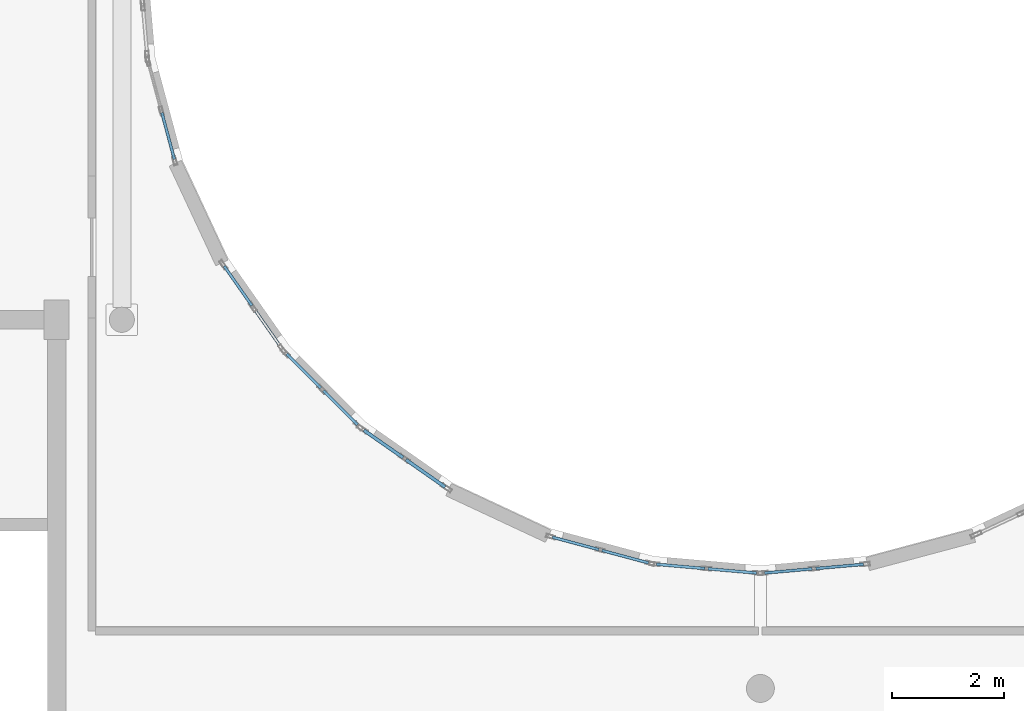
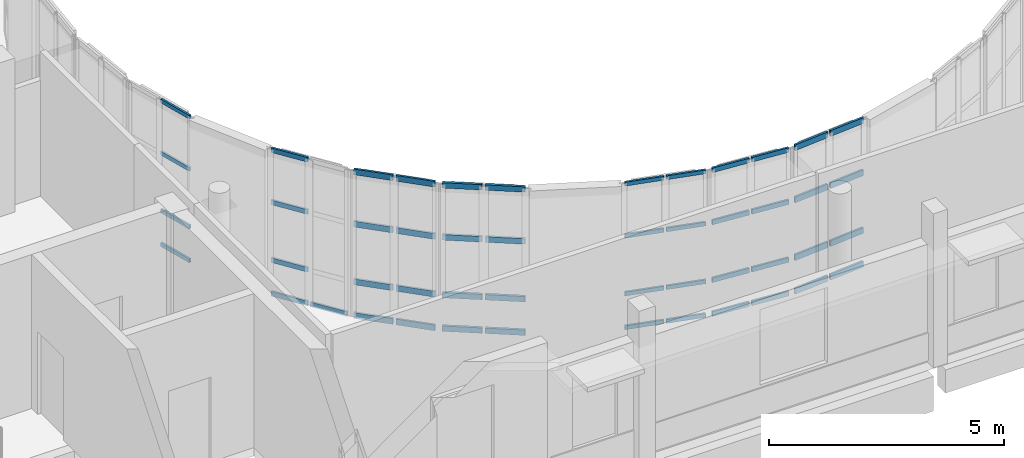
# One storey, part 46 of 89: 49 members, 7 elements without a shape of their own.
"""IFC4 building model written with IfcOpenShell, lengths in metres."""

import ifcopenshell
import ifcopenshell.guid

model = None  # the IFC model being written
_history = None  # IfcOwnerHistory: only IFC2X3 demands one
_inside = {}  # id of a spatial element -> (the spatial element, [elements in it])
_under = {}  # id of a project, library or spatial element -> (it, [spatial elements below it])
_declared = {}  # id of a project -> (the project, [libraries it declares])
_typed = {}  # id of a type object -> (the type object, [elements of that type])
_made_of = {}  # id of a material, layer set ... -> (it, [elements and type objects made of it])


def new_model(schema):
    """Start an empty IFC model of exactly this schema.

    Asked for "IFC4X3", IfcOpenShell would pick the latest addendum, in which some entities
    have other attributes; the version numbers below select the first issue.
    IFC2X3 requires an IfcOwnerHistory on every rooted entity: one is made here for all.
    """
    global model, _history
    if schema == "IFC4X3":
        model = ifcopenshell.file(schema_version=(4, 3, 0, 0))
    else:
        model = ifcopenshell.file(schema=schema)
    _inside.clear()
    _under.clear()
    _declared.clear()
    _typed.clear()
    _made_of.clear()
    _history = None
    if model.schema == "IFC2X3":
        org = make("IfcOrganization", Name="unknown")
        user = make(
            "IfcPersonAndOrganization",
            ThePerson=make("IfcPerson", FamilyName="unknown"),
            TheOrganization=org,
        )
        app = make(
            "IfcApplication",
            ApplicationDeveloper=org,
            Version="unknown",
            ApplicationFullName="unknown",
            ApplicationIdentifier="unknown",
        )
        _history = make(
            "IfcOwnerHistory",
            OwningUser=user,
            OwningApplication=app,
            ChangeAction="ADDED",
            CreationDate=0,
        )
    return model


def make(cls, **values):
    """One entity of the class cls with the attributes given. An attribute that is None is left unset."""
    return model.create_entity(
        cls, **{name: value for name, value in values.items() if value is not None}
    )


def rooted(cls, **values):
    """An entity with a GlobalId (a new one), such as an element, a storey or a relation."""
    return make(cls, GlobalId=ifcopenshell.guid.new(), OwnerHistory=_history, **values)


def si_unit(unit_type, name, prefix=None):
    """IfcSIUnit, for example si_unit("LENGTHUNIT", "METRE", prefix="MILLI")."""
    return make("IfcSIUnit", UnitType=unit_type, Prefix=prefix, Name=name)


def assignment(units):
    """IfcUnitAssignment: the units of a project."""
    return None if units is None else make("IfcUnitAssignment", Units=units)


def point(xyz):
    """IfcCartesianPoint."""
    return None if xyz is None else make("IfcCartesianPoint", Coordinates=xyz)


def direction(xyz):
    """IfcDirection."""
    return None if xyz is None else make("IfcDirection", DirectionRatios=xyz)


def frame(location, z_axis=None, x_axis=None):
    """IfcAxis2Placement3D, a coordinate frame: its origin and axes. An axis left out is left unset."""
    return make(
        "IfcAxis2Placement3D",
        Location=point(location),
        Axis=direction(z_axis),
        RefDirection=direction(x_axis),
    )


def frame_2d(location, x_axis=None):
    """IfcAxis2Placement2D, a coordinate frame in the plane: its origin and x axis."""
    return make(
        "IfcAxis2Placement2D", Location=point(location), RefDirection=direction(x_axis)
    )


def origin():
    """The frame at (0, 0, 0) with its axes left unset."""
    return frame((0.0, 0.0, 0.0))


def origin_2d():
    """The frame at (0, 0) in the plane with its x axis left unset."""
    return frame_2d((0.0, 0.0))


def place(relative_to, where):
    """IfcLocalPlacement: puts the frame where relative to a parent placement (None: the world)."""
    return make(
        "IfcLocalPlacement", PlacementRelTo=relative_to, RelativePlacement=where
    )


def context(
    kind, dimensions, precision=None, world=None, true_north=None, identifier=None
):
    """IfcGeometricRepresentationContext, for example the 3D "Model" context."""
    return make(
        "IfcGeometricRepresentationContext",
        ContextIdentifier=identifier,
        ContextType=kind,
        CoordinateSpaceDimension=dimensions,
        Precision=precision,
        WorldCoordinateSystem=world,
        TrueNorth=true_north,
    )


def subcontext(parent, identifier, kind, view, scale=None):
    """IfcGeometricRepresentationSubContext, for example "Body" below "Model"."""
    return make(
        "IfcGeometricRepresentationSubContext",
        ContextIdentifier=identifier,
        ContextType=kind,
        ParentContext=parent,
        TargetScale=scale,
        TargetView=view,
    )


def project(units=None, contexts=None):
    """IfcProject with its units and contexts."""
    return rooted(
        "IfcProject",
        Name="project",
        RepresentationContexts=contexts,
        UnitsInContext=assignment(units),
    )


def spatial(cls, under=None, at=None, **own):
    """A site, building, storey or space (cls), placed at a placement, below another one or the project."""
    s = rooted(cls, ObjectPlacement=at, **own)
    if under is not None:
        _under.setdefault(under.id(), (under, []))[1].append(s)
    return s


def profile(cls, at=None, kind="AREA", **sizes):
    """A parametric profile (cls). Its sizes go by their IFC names, for example OverallWidth=200.0."""
    return make(cls, ProfileType=kind, Position=at, **sizes)


def hollow_rectangle(**sizes):
    """IfcRectangleHollowProfileDef."""
    return profile("IfcRectangleHollowProfileDef", **sizes)


def extrude(swept, where, along, depth):
    """IfcExtrudedAreaSolid: the profile swept, set in the frame where, extruded along a direction by depth."""
    return make(
        "IfcExtrudedAreaSolid",
        SweptArea=swept,
        Position=where,
        ExtrudedDirection=direction(along),
        Depth=depth,
    )


def shape(context_of_items, identifier, shape_type, items):
    """IfcShapeRepresentation: the items that make up one representation, for example the "Body"."""
    return make(
        "IfcShapeRepresentation",
        ContextOfItems=context_of_items,
        RepresentationIdentifier=identifier,
        RepresentationType=shape_type,
        Items=items,
    )


def material(Name=None, Category=None):
    """IfcMaterial."""
    return make("IfcMaterial", Name=Name, Category=Category)


def layer(
    of_material, thickness, ventilated=None, Name=None, Category=None, Priority=None
):
    """IfcMaterialLayer: one layer of a wall or slab, of a material (None: an air gap)."""
    return make(
        "IfcMaterialLayer",
        Material=of_material,
        LayerThickness=thickness,
        IsVentilated=ventilated,
        Name=Name,
        Category=Category,
        Priority=Priority,
    )


def layer_set(layers, Name=None):
    """IfcMaterialLayerSet."""
    return make("IfcMaterialLayerSet", MaterialLayers=layers, LayerSetName=Name)


def material_profile(
    of_material, cross_section, Name=None, Category=None, Priority=None
):
    """IfcMaterialProfile: a cross section and its material."""
    return make(
        "IfcMaterialProfile",
        Name=Name,
        Material=of_material,
        Profile=cross_section,
        Priority=Priority,
        Category=Category,
    )


def profile_set(profiles, Name=None, composite=None):
    """IfcMaterialProfileSet."""
    return make(
        "IfcMaterialProfileSet",
        Name=Name,
        MaterialProfiles=profiles,
        CompositeProfile=composite,
    )


def made_of(thing, what):
    """Note that an element or type object is made of a material, layer set ...; save() writes the relation."""
    if what is not None:
        _made_of.setdefault(what.id(), (what, []))[1].append(thing)
    return thing


def type_object(cls, material=None, **own):
    """A type object (cls), such as IfcWallType, which elements share."""
    return made_of(rooted(cls, **own), material)


def element(
    cls,
    number,
    at=None,
    inside=None,
    cuts=None,
    type_object=None,
    material=None,
    context=None,
    identifier="Body",
    shape_type=None,
    held_by="IfcProductDefinitionShape",
    body=None,
    shapes=None,
    **own,
):
    """One element of the class cls, such as IfcWall. Its Tag is "e" and its number.

    at: its placement. inside: the storey or other place that contains it. cuts: it is an
    opening in that element (IfcRelVoidsElement). A single representation is given by context,
    identifier, shape_type and body (its items); several are given by shapes. held_by: the class
    of the entity that holds the representations. save() writes the other relations.
    """
    e = rooted(cls, Tag="e%d" % number, ObjectPlacement=at, **own)
    if body is not None:
        shapes = [shape(context, identifier, shape_type, body)]
    if shapes is not None:
        e.Representation = make(held_by, Representations=shapes)
    if inside is not None:
        _inside.setdefault(inside.id(), (inside, []))[1].append(e)
    if cuts is not None:
        rooted(
            "IfcRelVoidsElement", RelatingBuildingElement=cuts, RelatedOpeningElement=e
        )
    if type_object is not None:
        _typed.setdefault(type_object.id(), (type_object, []))[1].append(e)
    return made_of(e, material)


def aggregate(whole, parts):
    """IfcRelAggregates: a whole, such as a stair, and the parts it consists of."""
    return rooted("IfcRelAggregates", RelatingObject=whole, RelatedObjects=parts)


def save(model, path):
    """Write the relations noted so far, then the file.

    IfcRelAggregates (storeys below a building ...), IfcRelContainedInSpatialStructure (elements
    in a storey), IfcRelDefinesByType, IfcRelAssociatesMaterial and IfcRelDeclares: one each for
    every whole, place, type object, material and project.
    """
    for whole, parts in _under.values():
        aggregate(whole, parts)
    for where, things in _inside.values():
        rooted(
            "IfcRelContainedInSpatialStructure",
            RelatedElements=things,
            RelatingStructure=where,
        )
    for kind, things in _typed.values():
        rooted("IfcRelDefinesByType", RelatedObjects=things, RelatingType=kind)
    for what, things in _made_of.values():
        rooted("IfcRelAssociatesMaterial", RelatedObjects=things, RelatingMaterial=what)
    for by, libraries in _declared.values():
        rooted("IfcRelDeclares", RelatingContext=by, RelatedDefinitions=libraries)
    model.write(path)


model = new_model("IFC4")

# Units and contexts
model_context = context("Model", 3, precision=1e-05, world=origin(), true_north=direction((0.0, 1.0)))
body_context = subcontext(model_context, "Body", "Model", "MODEL_VIEW")
ifc_project = project(units=[si_unit("LENGTHUNIT", "METRE"), si_unit("AREAUNIT", "SQUARE_METRE"), si_unit("VOLUMEUNIT", "CUBIC_METRE"), si_unit("PLANEANGLEUNIT", "RADIAN"), si_unit("MASSUNIT", "GRAM", prefix="KILO")], contexts=[model_context])

# Site, building, storey
site_placement = place(None, origin())
site = spatial("IfcSite", under=ifc_project, at=site_placement, CompositionType="ELEMENT")
building_placement = place(site_placement, origin())
building = spatial("IfcBuilding", under=site, at=building_placement, Name="Kelanivale Promenade Academy", CompositionType="ELEMENT")
storey_placement = place(building_placement, frame((0.0, 0.0, 12.199951171875)))
storey = spatial("IfcBuildingStorey", under=building, at=storey_placement, Name="L03", CompositionType="ELEMENT", Elevation=12.199951171875)

# Curtain wall, members
ifc_material_1 = material(Name="Bronze anodised aluminium and solar-control low-E glass", Category="aluminium")
ifc_layer_1 = layer(ifc_material_1, 0.169921875)
ifc_layer_set_1 = layer_set([ifc_layer_1], Name="Bronze anodised aluminium and solar-control low-E glass")
curtain_wall_type_1 = type_object("IfcCurtainWallType", Name="CW-01 Curtain Wall 1350mm Module", PredefinedType="USERDEFINED", material=ifc_layer_set_1)
curtain_wall_1_placement = place(storey_placement, origin())
curtain_wall_1 = element("IfcCurtainWall", 1, at=curtain_wall_1_placement, inside=storey, type_object=curtain_wall_type_1, Name="L03 courtyard curtain wall CW-01", ObjectType="UNITISED GLAZING", PredefinedType="USERDEFINED")
ifc_material_2 = material(Name="Bronze anodised aluminium EN AW-6063 T6", Category="aluminium")
ifc_material_profile_1 = material_profile(ifc_material_2, hollow_rectangle(XDim=0.050048828125, YDim=0.10009765625, WallThickness=0.0029296875, at=origin_2d()), Name="ALU 50x100x3.0")
ifc_profile_set_1 = profile_set([ifc_material_profile_1], Name="Bronze anodised aluminium EN AW-6063 T6")
member_type_1 = type_object("IfcMemberType", Name="CWT-01 ALU 50x100x3.0", PredefinedType="USERDEFINED", material=ifc_profile_set_1)
member_1_placement = place(storey_placement, frame((52.685791015625, 53.906005859375, 0.025146484375), z_axis=(0.258509382951, -0.966008746817, 0.0), x_axis=(0.966008746817, 0.258509382951, 0.0)))
member_1 = element("IfcMember", 2, at=member_1_placement, type_object=member_type_1, Name="CW-01 transom 2.1", ObjectType="TRANSOM", PredefinedType="USERDEFINED", context=body_context, shape_type="SweptSolid", body=[
    extrude(hollow_rectangle(XDim=0.050048828125, YDim=0.10009765625, WallThickness=0.0029296875, at=origin_2d()), origin(), (0.0, 0.0, 1.0), 0.861328125),
])
member_2_placement = place(storey_placement, frame((52.685791015625, 53.906005859375, 0.900146484375), z_axis=(0.258509382951, -0.966008746817, 0.0), x_axis=(0.966008746817, 0.258509382951, 0.0)))
member_2 = element("IfcMember", 3, at=member_2_placement, type_object=member_type_1, Name="CW-01 transom 2.2", ObjectType="TRANSOM", PredefinedType="USERDEFINED", context=body_context, shape_type="SweptSolid", body=[
    extrude(hollow_rectangle(XDim=0.050048828125, YDim=0.10009765625, WallThickness=0.0029296875, at=origin_2d()), origin(), (0.0, 0.0, 1.0), 0.861328125),
])
member_3_placement = place(storey_placement, frame((52.685791015625, 53.906005859375, 2.400146484375), z_axis=(0.258509382951, -0.966008746817, 0.0), x_axis=(0.966008746817, 0.258509382951, 0.0)))
member_3 = element("IfcMember", 4, at=member_3_placement, type_object=member_type_1, Name="CW-01 transom 2.3", ObjectType="TRANSOM", PredefinedType="USERDEFINED", context=body_context, shape_type="SweptSolid", body=[
    extrude(hollow_rectangle(XDim=0.050048828125, YDim=0.10009765625, WallThickness=0.0029296875, at=origin_2d()), origin(), (0.0, 0.0, 1.0), 0.861328125),
])
member_4_placement = place(storey_placement, frame((52.685791015625, 53.906005859375, 3.755126953125), z_axis=(0.258509382951, -0.966008746817, 0.0), x_axis=(0.966008746817, 0.258509382951, 0.0)))
member_4 = element("IfcMember", 5, at=member_4_placement, type_object=member_type_1, Name="CW-01 transom 2.4", ObjectType="TRANSOM", PredefinedType="USERDEFINED", context=body_context, shape_type="SweptSolid", body=[
    extrude(hollow_rectangle(XDim=0.050048828125, YDim=0.10009765625, WallThickness=0.0029296875, at=origin_2d()), origin(), (0.0, 0.0, 1.0), 0.861328125),
])
aggregate(curtain_wall_1, [member_1, member_2, member_3, member_4])

ifc_layer_2 = layer(ifc_material_1, 0.179931640625)
ifc_layer_set_2 = layer_set([ifc_layer_2], Name="Bronze anodised aluminium and solar-control low-E glass")
curtain_wall_type_2 = type_object("IfcCurtainWallType", Name="CW-05 Curtain Wall 1950mm Module", PredefinedType="USERDEFINED", material=ifc_layer_set_2)
curtain_wall_2_placement = place(storey_placement, origin())
curtain_wall_2 = element("IfcCurtainWall", 6, at=curtain_wall_2_placement, inside=storey, type_object=curtain_wall_type_2, Name="L03 courtyard curtain wall CW-05", ObjectType="UNITISED GLAZING", PredefinedType="USERDEFINED")
member_5_placement = place(storey_placement, frame((59.674072265625, 46.30859375, 0.025146484375), z_axis=(0.965937931187, -0.258773864781, 0.0), x_axis=(0.258773864781, 0.965937931187, 0.0)))
member_5 = element("IfcMember", 7, at=member_5_placement, type_object=member_type_1, Name="CW-05 transom 1.1", ObjectType="TRANSOM", PredefinedType="USERDEFINED", context=body_context, shape_type="SweptSolid", body=[
    extrude(hollow_rectangle(XDim=0.050048828125, YDim=0.10009765625, WallThickness=0.0029296875, at=origin_2d()), origin(), (0.0, 0.0, 1.0), 0.861328125),
])
member_6_placement = place(storey_placement, frame((59.674072265625, 46.30859375, 0.900146484375), z_axis=(0.965937931187, -0.258773864781, 0.0), x_axis=(0.258773864781, 0.965937931187, 0.0)))
member_6 = element("IfcMember", 8, at=member_6_placement, type_object=member_type_1, Name="CW-05 transom 1.2", ObjectType="TRANSOM", PredefinedType="USERDEFINED", context=body_context, shape_type="SweptSolid", body=[
    extrude(hollow_rectangle(XDim=0.050048828125, YDim=0.10009765625, WallThickness=0.0029296875, at=origin_2d()), origin(), (0.0, 0.0, 1.0), 0.861328125),
])
member_7_placement = place(storey_placement, frame((59.674072265625, 46.30859375, 2.400146484375), z_axis=(0.965937931187, -0.258773864781, 0.0), x_axis=(0.258773864781, 0.965937931187, 0.0)))
member_7 = element("IfcMember", 9, at=member_7_placement, type_object=member_type_1, Name="CW-05 transom 1.3", ObjectType="TRANSOM", PredefinedType="USERDEFINED", context=body_context, shape_type="SweptSolid", body=[
    extrude(hollow_rectangle(XDim=0.050048828125, YDim=0.10009765625, WallThickness=0.0029296875, at=origin_2d()), origin(), (0.0, 0.0, 1.0), 0.861328125),
])
member_8_placement = place(storey_placement, frame((59.674072265625, 46.30859375, 3.755126953125), z_axis=(0.965937931187, -0.258773864781, 0.0), x_axis=(0.258773864781, 0.965937931187, 0.0)))
member_8 = element("IfcMember", 10, at=member_8_placement, type_object=member_type_1, Name="CW-05 transom 1.4", ObjectType="TRANSOM", PredefinedType="USERDEFINED", context=body_context, shape_type="SweptSolid", body=[
    extrude(hollow_rectangle(XDim=0.050048828125, YDim=0.10009765625, WallThickness=0.0029296875, at=origin_2d()), origin(), (0.0, 0.0, 1.0), 0.861328125),
])
member_9_placement = place(storey_placement, frame((60.56396484375, 46.0703125, 0.025146484375), z_axis=(0.965937931187, -0.258773864781, 0.0), x_axis=(0.258773864781, 0.965937931187, 0.0)))
member_9 = element("IfcMember", 11, at=member_9_placement, type_object=member_type_1, Name="CW-05 transom 2.1", ObjectType="TRANSOM", PredefinedType="USERDEFINED", context=body_context, shape_type="SweptSolid", body=[
    extrude(hollow_rectangle(XDim=0.050048828125, YDim=0.10009765625, WallThickness=0.0029296875, at=origin_2d()), origin(), (0.0, 0.0, 1.0), 0.861328125),
])
member_10_placement = place(storey_placement, frame((60.56396484375, 46.0703125, 0.900146484375), z_axis=(0.965937931187, -0.258773864781, 0.0), x_axis=(0.258773864781, 0.965937931187, 0.0)))
member_10 = element("IfcMember", 12, at=member_10_placement, type_object=member_type_1, Name="CW-05 transom 2.2", ObjectType="TRANSOM", PredefinedType="USERDEFINED", context=body_context, shape_type="SweptSolid", body=[
    extrude(hollow_rectangle(XDim=0.050048828125, YDim=0.10009765625, WallThickness=0.0029296875, at=origin_2d()), origin(), (0.0, 0.0, 1.0), 0.861328125),
])
member_11_placement = place(storey_placement, frame((60.56396484375, 46.0703125, 2.400146484375), z_axis=(0.965937931187, -0.258773864781, 0.0), x_axis=(0.258773864781, 0.965937931187, 0.0)))
member_11 = element("IfcMember", 13, at=member_11_placement, type_object=member_type_1, Name="CW-05 transom 2.3", ObjectType="TRANSOM", PredefinedType="USERDEFINED", context=body_context, shape_type="SweptSolid", body=[
    extrude(hollow_rectangle(XDim=0.050048828125, YDim=0.10009765625, WallThickness=0.0029296875, at=origin_2d()), origin(), (0.0, 0.0, 1.0), 0.861328125),
])
member_12_placement = place(storey_placement, frame((60.56396484375, 46.0703125, 3.755126953125), z_axis=(0.965937931187, -0.258773864781, 0.0), x_axis=(0.258773864781, 0.965937931187, 0.0)))
member_12 = element("IfcMember", 14, at=member_12_placement, type_object=member_type_1, Name="CW-05 transom 2.4", ObjectType="TRANSOM", PredefinedType="USERDEFINED", context=body_context, shape_type="SweptSolid", body=[
    extrude(hollow_rectangle(XDim=0.050048828125, YDim=0.10009765625, WallThickness=0.0029296875, at=origin_2d()), origin(), (0.0, 0.0, 1.0), 0.861328125),
])
aggregate(curtain_wall_2, [member_5, member_6, member_7, member_8, member_9, member_10, member_11, member_12])

ifc_layer_3 = layer(ifc_material_1, 0.179931640625)
ifc_layer_set_3 = layer_set([ifc_layer_3], Name="Bronze anodised aluminium and solar-control low-E glass")
curtain_wall_type_3 = type_object("IfcCurtainWallType", Name="CW-02 Curtain Wall 1500mm Module", PredefinedType="USERDEFINED", material=ifc_layer_set_3)
curtain_wall_3_placement = place(storey_placement, origin())
curtain_wall_3 = element("IfcCurtainWall", 15, at=curtain_wall_3_placement, inside=storey, type_object=curtain_wall_type_3, Name="L03 courtyard curtain wall CW-02", ObjectType="UNITISED GLAZING", PredefinedType="USERDEFINED")
ifc_material_profile_2 = material_profile(ifc_material_2, hollow_rectangle(XDim=0.050048828125, YDim=0.1201171875, WallThickness=0.0029296875, at=origin_2d()), Name="ALU 50x120x3.0")
ifc_profile_set_2 = profile_set([ifc_material_profile_2], Name="Bronze anodised aluminium EN AW-6063 T6")
member_type_2 = type_object("IfcMemberType", Name="CWT-02 ALU 50x120x3.0", PredefinedType="USERDEFINED", material=ifc_profile_set_2)
member_13_placement = place(storey_placement, frame((53.802490234375, 51.158935546875, 0.025146484375), z_axis=(0.573329193297, -0.819325110144, 0.0), x_axis=(0.819325110144, 0.573329193297, 0.0)))
member_13 = element("IfcMember", 16, at=member_13_placement, type_object=member_type_2, Name="CW-02 transom 1.1", ObjectType="TRANSOM", PredefinedType="USERDEFINED", context=body_context, shape_type="SweptSolid", body=[
    extrude(hollow_rectangle(XDim=0.050048828125, YDim=0.1201171875, WallThickness=0.0029296875, at=origin_2d()), origin(), (0.0, 0.0, 1.0), 0.861572265625),
])
member_14_placement = place(storey_placement, frame((53.802490234375, 51.158935546875, 0.900146484375), z_axis=(0.573329193297, -0.819325110144, 0.0), x_axis=(0.819325110144, 0.573329193297, 0.0)))
member_14 = element("IfcMember", 17, at=member_14_placement, type_object=member_type_2, Name="CW-02 transom 1.2", ObjectType="TRANSOM", PredefinedType="USERDEFINED", context=body_context, shape_type="SweptSolid", body=[
    extrude(hollow_rectangle(XDim=0.050048828125, YDim=0.1201171875, WallThickness=0.0029296875, at=origin_2d()), origin(), (0.0, 0.0, 1.0), 0.861572265625),
])
member_15_placement = place(storey_placement, frame((53.802490234375, 51.158935546875, 2.400146484375), z_axis=(0.573329193297, -0.819325110144, 0.0), x_axis=(0.819325110144, 0.573329193297, 0.0)))
member_15 = element("IfcMember", 18, at=member_15_placement, type_object=member_type_2, Name="CW-02 transom 1.3", ObjectType="TRANSOM", PredefinedType="USERDEFINED", context=body_context, shape_type="SweptSolid", body=[
    extrude(hollow_rectangle(XDim=0.050048828125, YDim=0.1201171875, WallThickness=0.0029296875, at=origin_2d()), origin(), (0.0, 0.0, 1.0), 0.861572265625),
])
member_16_placement = place(storey_placement, frame((53.802490234375, 51.158935546875, 3.755126953125), z_axis=(0.573329193297, -0.819325110144, 0.0), x_axis=(0.819325110144, 0.573329193297, 0.0)))
member_16 = element("IfcMember", 19, at=member_16_placement, type_object=member_type_2, Name="CW-02 transom 1.4", ObjectType="TRANSOM", PredefinedType="USERDEFINED", context=body_context, shape_type="SweptSolid", body=[
    extrude(hollow_rectangle(XDim=0.050048828125, YDim=0.1201171875, WallThickness=0.0029296875, at=origin_2d()), origin(), (0.0, 0.0, 1.0), 0.861572265625),
])
member_17_placement = place(storey_placement, frame((54.330810546875, 50.40380859375, 0.025146484375), z_axis=(0.573462344363, -0.819231920519, 0.0), x_axis=(0.819231920519, 0.573462344363, 0.0)))
member_17 = element("IfcMember", 20, at=member_17_placement, type_object=member_type_2, Name="CW-02 transom 2.1", ObjectType="TRANSOM", PredefinedType="USERDEFINED", context=body_context, shape_type="SweptSolid", body=[
    extrude(hollow_rectangle(XDim=0.050048828125, YDim=0.1201171875, WallThickness=0.0029296875, at=origin_2d()), origin(), (0.0, 0.0, 1.0), 0.861328125),
])
aggregate(curtain_wall_3, [member_13, member_14, member_15, member_16, member_17])

ifc_layer_4 = layer(ifc_material_1, 0.159912109375)
ifc_layer_set_4 = layer_set([ifc_layer_4], Name="Bronze anodised aluminium and solar-control low-E glass")
curtain_wall_type_4 = type_object("IfcCurtainWallType", Name="CW-06 Curtain Wall 1200mm Module", PredefinedType="USERDEFINED", material=ifc_layer_set_4)
curtain_wall_4_placement = place(storey_placement, origin())
curtain_wall_4 = element("IfcCurtainWall", 21, at=curtain_wall_4_placement, inside=storey, type_object=curtain_wall_type_4, Name="L03 courtyard curtain wall CW-06", ObjectType="UNITISED GLAZING", PredefinedType="USERDEFINED")
member_18_placement = place(storey_placement, frame((61.537841796875, 45.82275390625, 0.025146484375), z_axis=(0.996196157988, -0.087139054452, 0.0), x_axis=(0.087139054452, 0.996196157988, 0.0)))
member_18 = element("IfcMember", 22, at=member_18_placement, type_object=member_type_2, Name="CW-06 transom 1.1", ObjectType="TRANSOM", PredefinedType="USERDEFINED", context=body_context, shape_type="SweptSolid", body=[
    extrude(hollow_rectangle(XDim=0.050048828125, YDim=0.1201171875, WallThickness=0.0029296875, at=origin_2d()), origin(), (0.0, 0.0, 1.0), 0.86865234375),
])
member_19_placement = place(storey_placement, frame((61.537841796875, 45.82275390625, 0.900146484375), z_axis=(0.996196157988, -0.087139054452, 0.0), x_axis=(0.087139054452, 0.996196157988, 0.0)))
member_19 = element("IfcMember", 23, at=member_19_placement, type_object=member_type_2, Name="CW-06 transom 1.2", ObjectType="TRANSOM", PredefinedType="USERDEFINED", context=body_context, shape_type="SweptSolid", body=[
    extrude(hollow_rectangle(XDim=0.050048828125, YDim=0.1201171875, WallThickness=0.0029296875, at=origin_2d()), origin(), (0.0, 0.0, 1.0), 0.86865234375),
])
member_20_placement = place(storey_placement, frame((61.537841796875, 45.82275390625, 2.400146484375), z_axis=(0.996196157988, -0.087139054452, 0.0), x_axis=(0.087139054452, 0.996196157988, 0.0)))
member_20 = element("IfcMember", 24, at=member_20_placement, type_object=member_type_2, Name="CW-06 transom 1.3", ObjectType="TRANSOM", PredefinedType="USERDEFINED", context=body_context, shape_type="SweptSolid", body=[
    extrude(hollow_rectangle(XDim=0.050048828125, YDim=0.1201171875, WallThickness=0.0029296875, at=origin_2d()), origin(), (0.0, 0.0, 1.0), 0.86865234375),
])
member_21_placement = place(storey_placement, frame((61.537841796875, 45.82275390625, 3.755126953125), z_axis=(0.996196157988, -0.087139054452, 0.0), x_axis=(0.087139054452, 0.996196157988, 0.0)))
member_21 = element("IfcMember", 25, at=member_21_placement, type_object=member_type_2, Name="CW-06 transom 1.4", ObjectType="TRANSOM", PredefinedType="USERDEFINED", context=body_context, shape_type="SweptSolid", body=[
    extrude(hollow_rectangle(XDim=0.050048828125, YDim=0.1201171875, WallThickness=0.0029296875, at=origin_2d()), origin(), (0.0, 0.0, 1.0), 0.86865234375),
])
member_22_placement = place(storey_placement, frame((62.462890625, 45.741943359375, 0.025146484375), z_axis=(0.996196157988, -0.087139054452, 0.0), x_axis=(0.087139054452, 0.996196157988, 0.0)))
member_22 = element("IfcMember", 26, at=member_22_placement, type_object=member_type_2, Name="CW-06 transom 2.1", ObjectType="TRANSOM", PredefinedType="USERDEFINED", context=body_context, shape_type="SweptSolid", body=[
    extrude(hollow_rectangle(XDim=0.050048828125, YDim=0.1201171875, WallThickness=0.0029296875, at=origin_2d()), origin(), (0.0, 0.0, 1.0), 0.86865234375),
])
member_23_placement = place(storey_placement, frame((62.462890625, 45.741943359375, 0.900146484375), z_axis=(0.996196157988, -0.087139054452, 0.0), x_axis=(0.087139054452, 0.996196157988, 0.0)))
member_23 = element("IfcMember", 27, at=member_23_placement, type_object=member_type_2, Name="CW-06 transom 2.2", ObjectType="TRANSOM", PredefinedType="USERDEFINED", context=body_context, shape_type="SweptSolid", body=[
    extrude(hollow_rectangle(XDim=0.050048828125, YDim=0.1201171875, WallThickness=0.0029296875, at=origin_2d()), origin(), (0.0, 0.0, 1.0), 0.86865234375),
])
member_24_placement = place(storey_placement, frame((62.462890625, 45.741943359375, 2.400146484375), z_axis=(0.996196157988, -0.087139054452, 0.0), x_axis=(0.087139054452, 0.996196157988, 0.0)))
member_24 = element("IfcMember", 28, at=member_24_placement, type_object=member_type_2, Name="CW-06 transom 2.3", ObjectType="TRANSOM", PredefinedType="USERDEFINED", context=body_context, shape_type="SweptSolid", body=[
    extrude(hollow_rectangle(XDim=0.050048828125, YDim=0.1201171875, WallThickness=0.0029296875, at=origin_2d()), origin(), (0.0, 0.0, 1.0), 0.86865234375),
])
member_25_placement = place(storey_placement, frame((62.462890625, 45.741943359375, 3.755126953125), z_axis=(0.996196157988, -0.087139054452, 0.0), x_axis=(0.087139054452, 0.996196157988, 0.0)))
member_25 = element("IfcMember", 29, at=member_25_placement, type_object=member_type_2, Name="CW-06 transom 2.4", ObjectType="TRANSOM", PredefinedType="USERDEFINED", context=body_context, shape_type="SweptSolid", body=[
    extrude(hollow_rectangle(XDim=0.050048828125, YDim=0.1201171875, WallThickness=0.0029296875, at=origin_2d()), origin(), (0.0, 0.0, 1.0), 0.86865234375),
])
aggregate(curtain_wall_4, [member_18, member_19, member_20, member_21, member_22, member_23, member_24, member_25])

ifc_layer_5 = layer(ifc_material_1, 0.159912109375)
ifc_layer_set_5 = layer_set([ifc_layer_5], Name="Bronze anodised aluminium and solar-control low-E glass")
curtain_wall_type_5 = type_object("IfcCurtainWallType", Name="CW-03 Curtain Wall 1650mm Module", PredefinedType="USERDEFINED", material=ifc_layer_set_5)
curtain_wall_5_placement = place(storey_placement, origin())
curtain_wall_5 = element("IfcCurtainWall", 30, at=curtain_wall_5_placement, inside=storey, type_object=curtain_wall_type_5, Name="L03 courtyard curtain wall CW-03", ObjectType="UNITISED GLAZING", PredefinedType="USERDEFINED")
ifc_material_profile_3 = material_profile(ifc_material_2, hollow_rectangle(XDim=0.050048828125, YDim=0.14990234375, WallThickness=0.00341796875, at=origin_2d()), Name="ALU 50x150x3.5")
ifc_profile_set_3 = profile_set([ifc_material_profile_3], Name="Bronze anodised aluminium EN AW-6063 T6")
member_type_3 = type_object("IfcMemberType", Name="CWT-03 ALU 50x150x3.5", PredefinedType="USERDEFINED", material=ifc_profile_set_3)
member_26_placement = place(storey_placement, frame((54.9208984375, 49.583984375, 0.025146484375), z_axis=(0.707248613853, -0.706964920065, 0.0), x_axis=(0.706964920065, 0.707248613853, 0.0)))
member_26 = element("IfcMember", 31, at=member_26_placement, type_object=member_type_3, Name="CW-03 transom 1.1", ObjectType="TRANSOM", PredefinedType="USERDEFINED", context=body_context, shape_type="SweptSolid", body=[
    extrude(hollow_rectangle(XDim=0.050048828125, YDim=0.14990234375, WallThickness=0.00341796875, at=origin_2d()), origin(), (0.0, 0.0, 1.0), 0.860595703125),
])
member_27_placement = place(storey_placement, frame((54.9208984375, 49.583984375, 0.900146484375), z_axis=(0.707248613853, -0.706964920065, 0.0), x_axis=(0.706964920065, 0.707248613853, 0.0)))
member_27 = element("IfcMember", 32, at=member_27_placement, type_object=member_type_3, Name="CW-03 transom 1.2", ObjectType="TRANSOM", PredefinedType="USERDEFINED", context=body_context, shape_type="SweptSolid", body=[
    extrude(hollow_rectangle(XDim=0.050048828125, YDim=0.14990234375, WallThickness=0.00341796875, at=origin_2d()), origin(), (0.0, 0.0, 1.0), 0.860595703125),
])
member_28_placement = place(storey_placement, frame((54.9208984375, 49.583984375, 2.400146484375), z_axis=(0.707248613853, -0.706964920065, 0.0), x_axis=(0.706964920065, 0.707248613853, 0.0)))
member_28 = element("IfcMember", 33, at=member_28_placement, type_object=member_type_3, Name="CW-03 transom 1.3", ObjectType="TRANSOM", PredefinedType="USERDEFINED", context=body_context, shape_type="SweptSolid", body=[
    extrude(hollow_rectangle(XDim=0.050048828125, YDim=0.14990234375, WallThickness=0.00341796875, at=origin_2d()), origin(), (0.0, 0.0, 1.0), 0.860595703125),
])
member_29_placement = place(storey_placement, frame((54.9208984375, 49.583984375, 3.755126953125), z_axis=(0.707248613853, -0.706964920065, 0.0), x_axis=(0.706964920065, 0.707248613853, 0.0)))
member_29 = element("IfcMember", 34, at=member_29_placement, type_object=member_type_3, Name="CW-03 transom 1.4", ObjectType="TRANSOM", PredefinedType="USERDEFINED", context=body_context, shape_type="SweptSolid", body=[
    extrude(hollow_rectangle(XDim=0.050048828125, YDim=0.14990234375, WallThickness=0.00341796875, at=origin_2d()), origin(), (0.0, 0.0, 1.0), 0.860595703125),
])
member_30_placement = place(storey_placement, frame((55.575439453125, 48.929443359375, 0.025146484375), z_axis=(0.707248613853, -0.706964920065, 0.0), x_axis=(0.706964920065, 0.707248613853, 0.0)))
member_30 = element("IfcMember", 35, at=member_30_placement, type_object=member_type_3, Name="CW-03 transom 2.1", ObjectType="TRANSOM", PredefinedType="USERDEFINED", context=body_context, shape_type="SweptSolid", body=[
    extrude(hollow_rectangle(XDim=0.050048828125, YDim=0.14990234375, WallThickness=0.00341796875, at=origin_2d()), origin(), (0.0, 0.0, 1.0), 0.860595703125),
])
member_31_placement = place(storey_placement, frame((55.575439453125, 48.929443359375, 0.900146484375), z_axis=(0.707248613853, -0.706964920065, 0.0), x_axis=(0.706964920065, 0.707248613853, 0.0)))
member_31 = element("IfcMember", 36, at=member_31_placement, type_object=member_type_3, Name="CW-03 transom 2.2", ObjectType="TRANSOM", PredefinedType="USERDEFINED", context=body_context, shape_type="SweptSolid", body=[
    extrude(hollow_rectangle(XDim=0.050048828125, YDim=0.14990234375, WallThickness=0.00341796875, at=origin_2d()), origin(), (0.0, 0.0, 1.0), 0.860595703125),
])
member_32_placement = place(storey_placement, frame((55.575439453125, 48.929443359375, 2.400146484375), z_axis=(0.707248613853, -0.706964920065, 0.0), x_axis=(0.706964920065, 0.707248613853, 0.0)))
member_32 = element("IfcMember", 37, at=member_32_placement, type_object=member_type_3, Name="CW-03 transom 2.3", ObjectType="TRANSOM", PredefinedType="USERDEFINED", context=body_context, shape_type="SweptSolid", body=[
    extrude(hollow_rectangle(XDim=0.050048828125, YDim=0.14990234375, WallThickness=0.00341796875, at=origin_2d()), origin(), (0.0, 0.0, 1.0), 0.860595703125),
])
member_33_placement = place(storey_placement, frame((55.575439453125, 48.929443359375, 3.755126953125), z_axis=(0.707248613853, -0.706964920065, 0.0), x_axis=(0.706964920065, 0.707248613853, 0.0)))
member_33 = element("IfcMember", 38, at=member_33_placement, type_object=member_type_3, Name="CW-03 transom 2.4", ObjectType="TRANSOM", PredefinedType="USERDEFINED", context=body_context, shape_type="SweptSolid", body=[
    extrude(hollow_rectangle(XDim=0.050048828125, YDim=0.14990234375, WallThickness=0.00341796875, at=origin_2d()), origin(), (0.0, 0.0, 1.0), 0.860595703125),
])
aggregate(curtain_wall_5, [member_26, member_27, member_28, member_29, member_30, member_31, member_32, member_33])

ifc_layer_6 = layer(ifc_material_1, 0.169921875)
ifc_layer_set_6 = layer_set([ifc_layer_6], Name="Bronze anodised aluminium and solar-control low-E glass")
curtain_wall_type_6 = type_object("IfcCurtainWallType", Name="CW-07 Curtain Wall 1350mm Module", PredefinedType="USERDEFINED", material=ifc_layer_set_6)
curtain_wall_6_placement = place(storey_placement, origin())
curtain_wall_6 = element("IfcCurtainWall", 39, at=curtain_wall_6_placement, inside=storey, type_object=curtain_wall_type_6, Name="L03 courtyard curtain wall CW-07", ObjectType="UNITISED GLAZING", PredefinedType="USERDEFINED")
member_34_placement = place(storey_placement, frame((63.476806640625, 45.666748046875, 0.025146484375), z_axis=(0.996187816641, 0.087234362353, 0.0), x_axis=(-0.087234362353, 0.996187816641, 0.0)))
member_34 = element("IfcMember", 40, at=member_34_placement, type_object=member_type_3, Name="CW-07 transom 1.1", ObjectType="TRANSOM", PredefinedType="USERDEFINED", context=body_context, shape_type="SweptSolid", body=[
    extrude(hollow_rectangle(XDim=0.050048828125, YDim=0.14990234375, WallThickness=0.00341796875, at=origin_2d()), origin(), (0.0, 0.0, 1.0), 0.853515625),
])
member_35_placement = place(storey_placement, frame((63.476806640625, 45.666748046875, 0.900146484375), z_axis=(0.996187816641, 0.087234362353, 0.0), x_axis=(-0.087234362353, 0.996187816641, 0.0)))
member_35 = element("IfcMember", 41, at=member_35_placement, type_object=member_type_3, Name="CW-07 transom 1.2", ObjectType="TRANSOM", PredefinedType="USERDEFINED", context=body_context, shape_type="SweptSolid", body=[
    extrude(hollow_rectangle(XDim=0.050048828125, YDim=0.14990234375, WallThickness=0.00341796875, at=origin_2d()), origin(), (0.0, 0.0, 1.0), 0.853515625),
])
member_36_placement = place(storey_placement, frame((63.476806640625, 45.666748046875, 2.400146484375), z_axis=(0.996187816641, 0.087234362353, 0.0), x_axis=(-0.087234362353, 0.996187816641, 0.0)))
member_36 = element("IfcMember", 42, at=member_36_placement, type_object=member_type_3, Name="CW-07 transom 1.3", ObjectType="TRANSOM", PredefinedType="USERDEFINED", context=body_context, shape_type="SweptSolid", body=[
    extrude(hollow_rectangle(XDim=0.050048828125, YDim=0.14990234375, WallThickness=0.00341796875, at=origin_2d()), origin(), (0.0, 0.0, 1.0), 0.853515625),
])
member_37_placement = place(storey_placement, frame((63.476806640625, 45.666748046875, 3.755126953125), z_axis=(0.996187816641, 0.087234362353, 0.0), x_axis=(-0.087234362353, 0.996187816641, 0.0)))
member_37 = element("IfcMember", 43, at=member_37_placement, type_object=member_type_3, Name="CW-07 transom 1.4", ObjectType="TRANSOM", PredefinedType="USERDEFINED", context=body_context, shape_type="SweptSolid", body=[
    extrude(hollow_rectangle(XDim=0.050048828125, YDim=0.14990234375, WallThickness=0.00341796875, at=origin_2d()), origin(), (0.0, 0.0, 1.0), 0.853515625),
])
member_38_placement = place(storey_placement, frame((64.391845703125, 45.746826171875, 0.025146484375), z_axis=(0.996187816641, 0.087234362353, 0.0), x_axis=(-0.087234362353, 0.996187816641, 0.0)))
member_38 = element("IfcMember", 44, at=member_38_placement, type_object=member_type_3, Name="CW-07 transom 2.1", ObjectType="TRANSOM", PredefinedType="USERDEFINED", context=body_context, shape_type="SweptSolid", body=[
    extrude(hollow_rectangle(XDim=0.050048828125, YDim=0.14990234375, WallThickness=0.00341796875, at=origin_2d()), origin(), (0.0, 0.0, 1.0), 0.853515625),
])
member_39_placement = place(storey_placement, frame((64.391845703125, 45.746826171875, 0.900146484375), z_axis=(0.996187816641, 0.087234362353, 0.0), x_axis=(-0.087234362353, 0.996187816641, 0.0)))
member_39 = element("IfcMember", 45, at=member_39_placement, type_object=member_type_3, Name="CW-07 transom 2.2", ObjectType="TRANSOM", PredefinedType="USERDEFINED", context=body_context, shape_type="SweptSolid", body=[
    extrude(hollow_rectangle(XDim=0.050048828125, YDim=0.14990234375, WallThickness=0.00341796875, at=origin_2d()), origin(), (0.0, 0.0, 1.0), 0.853515625),
])
member_40_placement = place(storey_placement, frame((64.391845703125, 45.746826171875, 2.400146484375), z_axis=(0.996187816641, 0.087234362353, 0.0), x_axis=(-0.087234362353, 0.996187816641, 0.0)))
member_40 = element("IfcMember", 46, at=member_40_placement, type_object=member_type_3, Name="CW-07 transom 2.3", ObjectType="TRANSOM", PredefinedType="USERDEFINED", context=body_context, shape_type="SweptSolid", body=[
    extrude(hollow_rectangle(XDim=0.050048828125, YDim=0.14990234375, WallThickness=0.00341796875, at=origin_2d()), origin(), (0.0, 0.0, 1.0), 0.853515625),
])
member_41_placement = place(storey_placement, frame((64.391845703125, 45.746826171875, 3.755126953125), z_axis=(0.996187816641, 0.087234362353, 0.0), x_axis=(-0.087234362353, 0.996187816641, 0.0)))
member_41 = element("IfcMember", 47, at=member_41_placement, type_object=member_type_3, Name="CW-07 transom 2.4", ObjectType="TRANSOM", PredefinedType="USERDEFINED", context=body_context, shape_type="SweptSolid", body=[
    extrude(hollow_rectangle(XDim=0.050048828125, YDim=0.14990234375, WallThickness=0.00341796875, at=origin_2d()), origin(), (0.0, 0.0, 1.0), 0.853515625),
])
aggregate(curtain_wall_6, [member_34, member_35, member_36, member_37, member_38, member_39, member_40, member_41])

ifc_layer_7 = layer(ifc_material_1, 0.169921875)
ifc_layer_set_7 = layer_set([ifc_layer_7], Name="Bronze anodised aluminium and solar-control low-E glass")
curtain_wall_type_7 = type_object("IfcCurtainWallType", Name="CW-04 Curtain Wall 1800mm Module", PredefinedType="USERDEFINED", material=ifc_layer_set_7)
curtain_wall_7_placement = place(storey_placement, origin())
curtain_wall_7 = element("IfcCurtainWall", 48, at=curtain_wall_7_placement, inside=storey, type_object=curtain_wall_type_7, Name="L03 courtyard curtain wall CW-04", ObjectType="UNITISED GLAZING", PredefinedType="USERDEFINED")
ifc_material_profile_4 = material_profile(ifc_material_2, hollow_rectangle(XDim=0.06005859375, YDim=0.139892578125, WallThickness=0.00341796875, at=origin_2d()), Name="ALU 60x140x3.5")
ifc_profile_set_4 = profile_set([ifc_material_profile_4], Name="Bronze anodised aluminium EN AW-6063 T6")
member_type_4 = type_object("IfcMemberType", Name="CWT-04 ALU 60x140x3.5", PredefinedType="USERDEFINED", material=ifc_profile_set_4)
member_42_placement = place(storey_placement, frame((56.30224609375, 48.2216796875, 0.030029296875), z_axis=(0.819393067406, -0.573232065648, 0.0), x_axis=(0.573232065648, 0.819393067406, 0.0)))
member_42 = element("IfcMember", 49, at=member_42_placement, type_object=member_type_4, Name="CW-04 transom 1.1", ObjectType="TRANSOM", PredefinedType="USERDEFINED", context=body_context, shape_type="SweptSolid", body=[
    extrude(hollow_rectangle(XDim=0.06005859375, YDim=0.139892578125, WallThickness=0.00341796875, at=origin_2d()), origin(), (0.0, 0.0, 1.0), 0.85400390625),
])
member_43_placement = place(storey_placement, frame((56.30224609375, 48.2216796875, 0.900146484375), z_axis=(0.819393067406, -0.573232065648, 0.0), x_axis=(0.573232065648, 0.819393067406, 0.0)))
member_43 = element("IfcMember", 50, at=member_43_placement, type_object=member_type_4, Name="CW-04 transom 1.2", ObjectType="TRANSOM", PredefinedType="USERDEFINED", context=body_context, shape_type="SweptSolid", body=[
    extrude(hollow_rectangle(XDim=0.06005859375, YDim=0.139892578125, WallThickness=0.00341796875, at=origin_2d()), origin(), (0.0, 0.0, 1.0), 0.85400390625),
])
member_44_placement = place(storey_placement, frame((56.30224609375, 48.2216796875, 2.400146484375), z_axis=(0.819393067406, -0.573232065648, 0.0), x_axis=(0.573232065648, 0.819393067406, 0.0)))
member_44 = element("IfcMember", 51, at=member_44_placement, type_object=member_type_4, Name="CW-04 transom 1.3", ObjectType="TRANSOM", PredefinedType="USERDEFINED", context=body_context, shape_type="SweptSolid", body=[
    extrude(hollow_rectangle(XDim=0.06005859375, YDim=0.139892578125, WallThickness=0.00341796875, at=origin_2d()), origin(), (0.0, 0.0, 1.0), 0.85400390625),
])
member_45_placement = place(storey_placement, frame((56.30224609375, 48.2216796875, 3.75), z_axis=(0.819393067406, -0.573232065648, 0.0), x_axis=(0.573232065648, 0.819393067406, 0.0)))
member_45 = element("IfcMember", 52, at=member_45_placement, type_object=member_type_4, Name="CW-04 transom 1.4", ObjectType="TRANSOM", PredefinedType="USERDEFINED", context=body_context, shape_type="SweptSolid", body=[
    extrude(hollow_rectangle(XDim=0.06005859375, YDim=0.139892578125, WallThickness=0.00341796875, at=origin_2d()), origin(), (0.0, 0.0, 1.0), 0.85400390625),
])
member_46_placement = place(storey_placement, frame((57.05517578125, 47.69482421875, 0.030029296875), z_axis=(0.819299088653, -0.573366377923, 0.0), x_axis=(0.573366377923, 0.819299088653, 0.0)))
member_46 = element("IfcMember", 53, at=member_46_placement, type_object=member_type_4, Name="CW-04 transom 2.1", ObjectType="TRANSOM", PredefinedType="USERDEFINED", context=body_context, shape_type="SweptSolid", body=[
    extrude(hollow_rectangle(XDim=0.06005859375, YDim=0.139892578125, WallThickness=0.00341796875, at=origin_2d()), origin(), (0.0, 0.0, 1.0), 0.853759765625),
])
member_47_placement = place(storey_placement, frame((57.05517578125, 47.69482421875, 0.900146484375), z_axis=(0.819299088653, -0.573366377923, 0.0), x_axis=(0.573366377923, 0.819299088653, 0.0)))
member_47 = element("IfcMember", 54, at=member_47_placement, type_object=member_type_4, Name="CW-04 transom 2.2", ObjectType="TRANSOM", PredefinedType="USERDEFINED", context=body_context, shape_type="SweptSolid", body=[
    extrude(hollow_rectangle(XDim=0.06005859375, YDim=0.139892578125, WallThickness=0.00341796875, at=origin_2d()), origin(), (0.0, 0.0, 1.0), 0.853759765625),
])
member_48_placement = place(storey_placement, frame((57.05517578125, 47.69482421875, 2.400146484375), z_axis=(0.819299088653, -0.573366377923, 0.0), x_axis=(0.573366377923, 0.819299088653, 0.0)))
member_48 = element("IfcMember", 55, at=member_48_placement, type_object=member_type_4, Name="CW-04 transom 2.3", ObjectType="TRANSOM", PredefinedType="USERDEFINED", context=body_context, shape_type="SweptSolid", body=[
    extrude(hollow_rectangle(XDim=0.06005859375, YDim=0.139892578125, WallThickness=0.00341796875, at=origin_2d()), origin(), (0.0, 0.0, 1.0), 0.853759765625),
])
member_49_placement = place(storey_placement, frame((57.05517578125, 47.69482421875, 3.75), z_axis=(0.819299088653, -0.573366377923, 0.0), x_axis=(0.573366377923, 0.819299088653, 0.0)))
member_49 = element("IfcMember", 56, at=member_49_placement, type_object=member_type_4, Name="CW-04 transom 2.4", ObjectType="TRANSOM", PredefinedType="USERDEFINED", context=body_context, shape_type="SweptSolid", body=[
    extrude(hollow_rectangle(XDim=0.06005859375, YDim=0.139892578125, WallThickness=0.00341796875, at=origin_2d()), origin(), (0.0, 0.0, 1.0), 0.853759765625),
])
aggregate(curtain_wall_7, [member_42, member_43, member_44, member_45, member_46, member_47, member_48, member_49])

save(model, "model.ifc")
